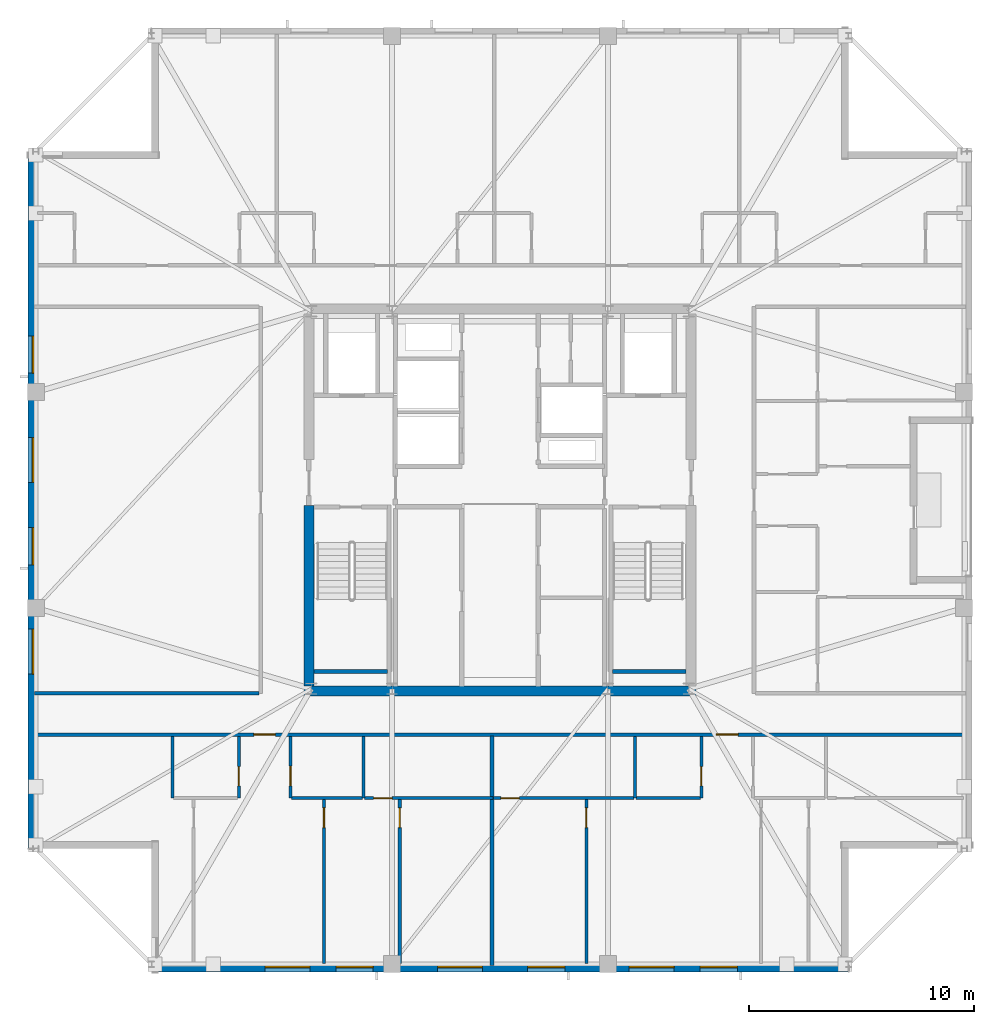
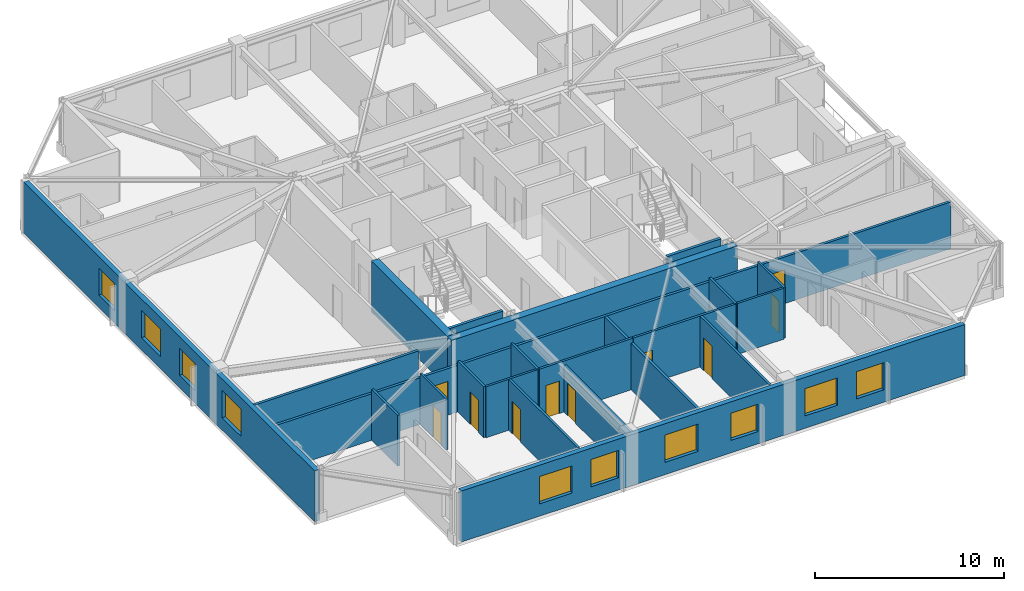
# One storey, part 7 of 15: 22 walls, 10 doors, 10 windows, 20 openings.
"""IFC4 building model written with IfcOpenShell, lengths in metres."""

from ifc_helpers import new_model, si_unit, direction, frame, frame_2d, origin, place, context, subcontext, project, spatial, rectangle, extrude, material, layer, layer_set, type_object, element, fill, save


model = new_model("IFC4")

# Units and contexts
model_context = context("Model", 3, precision=1e-05, world=origin(), true_north=direction((0.0, 1.0)))
body_context = subcontext(model_context, "Body", "Model", "MODEL_VIEW")
ifc_project = project(units=[si_unit("LENGTHUNIT", "METRE"), si_unit("AREAUNIT", "SQUARE_METRE"), si_unit("VOLUMEUNIT", "CUBIC_METRE"), si_unit("PLANEANGLEUNIT", "RADIAN"), si_unit("MASSUNIT", "GRAM", prefix="KILO")], contexts=[model_context])

# Site, building, storey
site_placement = place(None, origin())
site = spatial("IfcSite", under=ifc_project, at=site_placement, CompositionType="ELEMENT")
building_placement = place(site_placement, origin())
building = spatial("IfcBuilding", under=site, at=building_placement, Name="Cairnveth Concourse Tower", CompositionType="ELEMENT")
storey_placement = place(building_placement, frame((0.0, 0.0, 305.0)))
storey = spatial("IfcBuildingStorey", under=building, at=storey_placement, Name="L84", CompositionType="ELEMENT", Elevation=305.0)

# Wall, openings, doors
ifc_material_1 = material(Name="Gypsum Plasterboard Partition", Category="gypsum")
ifc_layer_1 = layer(ifc_material_1, 0.159912109375)
ifc_layer_set_1 = layer_set([ifc_layer_1], Name="Gypsum Plasterboard Partition")
wall_type_1 = type_object("IfcWallType", Name="ACOUSTIC PARTY WALL 180", PredefinedType="PARTITIONING", material=ifc_layer_set_1)
wall_1_placement = place(storey_placement, frame((31.284912109375, 28.56494140625, 0.0), z_axis=(0.0, 0.0, 1.0), x_axis=(1.0, 0.0, 0.0)))
wall_1 = element("IfcWall", 1, at=wall_1_placement, inside=storey, type_object=wall_type_1, Name="Interior Wall IW-L84-035", PredefinedType="PARTITIONING", context=body_context, shape_type="SweptSolid", body=[
    extrude(rectangle(XDim=41.43017578125, YDim=0.159912109375, at=frame_2d((20.715087890625, 0.0))), origin(), (0.0, 0.0, 1.0), 3.009033203125),
])
opening_1_placement = place(wall_1_placement, frame((9.76611328125, 0.0, 0.0)))
opening_1 = element("IfcOpeningElement", 2, at=opening_1_placement, cuts=wall_1, Name="Opening ID10", PredefinedType="OPENING", context=body_context, shape_type="SweptSolid", body=[
    extrude(rectangle(XDim=0.9599609375, YDim=2.179931640625, at=frame_2d((0.47998046875, 1.08984375))), frame((0.0, 0.08984375, 0.0), z_axis=(0.0, -1.0, 0.0), x_axis=(1.0, 0.0, 0.0)), (0.0, 0.0, 1.0), 0.179931640625),
])
opening_2_placement = place(wall_1_placement, frame((30.34619140625, 0.0, 0.0)))
opening_2 = element("IfcOpeningElement", 3, at=opening_2_placement, cuts=wall_1, Name="Opening ID10", PredefinedType="OPENING", context=body_context, shape_type="SweptSolid", body=[
    extrude(rectangle(XDim=0.9599609375, YDim=2.179931640625, at=frame_2d((0.47998046875, 1.08984375))), frame((0.0, 0.08984375, 0.0), z_axis=(0.0, -1.0, 0.0), x_axis=(1.0, 0.0, 0.0)), (0.0, 0.0, 1.0), 0.179931640625),
])
ifc_material_2 = material(Name="Solid Core Hardwood Timber Leaf", Category="wood")
door_type_1 = type_object("IfcDoorType", Name="FLAT ENTRANCE DOOR 960X2150", OperationType="NOTDEFINED", PredefinedType="DOOR", material=ifc_material_2)
door_1_placement = place(opening_1_placement, origin())
door_1 = element("IfcDoor", 4, at=door_1_placement, inside=storey, type_object=door_type_1, Name="Penthouse L84PS1 Entrance Door", OperationType="SINGLE_SWING_LEFT", OverallHeight=2.179931640625, OverallWidth=0.9599609375, PredefinedType="DOOR", context=body_context, shape_type="SweptSolid", body=[
    extrude(rectangle(XDim=0.9599609375, YDim=2.179931640625, at=frame_2d((0.47998046875, 1.08984375))), frame((0.0, 0.02490234375, 0.0), z_axis=(0.0, -1.0, 0.0), x_axis=(1.0, 0.0, 0.0)), (0.0, 0.0, 1.0), 0.050048828125),
])
fill(opening_1, door_1)
door_2_placement = place(opening_2_placement, origin())
door_2 = element("IfcDoor", 5, at=door_2_placement, inside=storey, type_object=door_type_1, Name="Penthouse L84PS2 Entrance Door", OperationType="SINGLE_SWING_LEFT", OverallHeight=2.179931640625, OverallWidth=0.9599609375, PredefinedType="DOOR", context=body_context, shape_type="SweptSolid", body=[
    extrude(rectangle(XDim=0.9599609375, YDim=2.179931640625, at=frame_2d((0.47998046875, 1.08984375))), frame((0.0, 0.02490234375, 0.0), z_axis=(0.0, -1.0, 0.0), x_axis=(1.0, 0.0, 0.0)), (0.0, 0.0, 1.0), 0.050048828125),
])
fill(opening_2, door_2)

# Walls
wall_2_placement = place(storey_placement, frame((31.284912109375, 30.39990234375, 0.0), z_axis=(0.0, 0.0, 1.0), x_axis=(1.0, 0.0, 0.0)))
element("IfcWall", 6, at=wall_2_placement, inside=storey, type_object=wall_type_1, Name="Interior Wall IW-L84-039", PredefinedType="PARTITIONING", context=body_context, shape_type="SweptSolid", body=[
    extrude(rectangle(XDim=10.0, YDim=0.159912109375, at=frame_2d((5.0, 0.0))), origin(), (0.0, 0.0, 1.0), 3.2900390625),
])
wall_3_placement = place(storey_placement, frame((51.642578125, 18.284912109375, 0.0), z_axis=(0.0, 0.0, 1.0), x_axis=(0.0, 1.0, 0.0)))
element("IfcWall", 7, at=wall_3_placement, inside=storey, type_object=wall_type_1, Name="Interior Wall IW-L84-053", PredefinedType="PARTITIONING", context=body_context, shape_type="SweptSolid", body=[
    extrude(rectangle(XDim=10.215087890625, YDim=0.159912109375, at=frame_2d((5.107421875, 0.0))), origin(), (0.0, 0.0, 1.0), 3.009033203125),
])
ifc_material_3 = material(Name="Concrete N65 (65 MPa)", Category="concrete")
ifc_layer_2 = layer(ifc_material_3, 0.449951171875)
ifc_layer_set_2 = layer_set([ifc_layer_2], Name="Concrete N65 (65 MPa)")
wall_type_2 = type_object("IfcWallType", Name="CORE SHEAR WALL 450", PredefinedType="SHEAR", material=ifc_layer_set_2)
wall_4_placement = place(storey_placement, frame((43.27490234375, 30.5, 0.0), z_axis=(0.0, 0.0, 1.0), x_axis=(1.0, 0.0, 0.0)))
element("IfcWall", 8, at=wall_4_placement, inside=storey, type_object=wall_type_2, Name="Core South Shear Wall L84", PredefinedType="SHEAR", context=body_context, shape_type="SweptSolid", body=[
    extrude(rectangle(XDim=17.4501953125, YDim=0.449951171875, at=frame_2d((8.72509765625, 0.0))), origin(), (0.0, 0.0, 1.0), 3.2900390625),
])
wall_5_placement = place(storey_placement, frame((43.5, 30.715087890625, 0.0), z_axis=(0.0, 0.0, 1.0), x_axis=(0.0, 1.0, 0.0)))
element("IfcWall", 9, at=wall_5_placement, inside=storey, type_object=wall_type_2, Name="Core West Shear Wall S L84", PredefinedType="SHEAR", context=body_context, shape_type="SweptSolid", body=[
    extrude(rectangle(XDim=8.034912109375, YDim=0.449951171875, at=frame_2d((4.017578125, 0.0))), origin(), (0.0, 0.0, 1.0), 3.2900390625),
])
ifc_material_4 = material(Name="Concrete N50 (50 MPa)", Category="concrete")
ifc_layer_3 = layer(ifc_material_4, 0.179931640625)
ifc_layer_set_3 = layer_set([ifc_layer_3], Name="Concrete N50 (50 MPa)")
wall_type_3 = type_object("IfcWallType", Name="FIRE SHAFT WALL 180", PredefinedType="SOLIDWALL", material=ifc_layer_set_3)
for number, where, z_axis, x_axis, name in (
    (10, (43.715087890625, 31.360107421875, 0.0), (0.0, 0.0, 1.0), (1.0, 0.0, 0.0), "Stair ST-1 Shaft Wall FAR L84"),
    (11, (57.0048828125, 31.360107421875, 0.0), (0.0, 0.0, 1.0), (1.0, 0.0, 0.0), "Stair ST-2 Shaft Wall FAR L84"),
):
    element("IfcWall", number, at=place(storey_placement, frame(where, z_axis=z_axis, x_axis=x_axis)), inside=storey, type_object=wall_type_3, Name=name, PredefinedType="SOLIDWALL", context=body_context, shape_type="SweptSolid", body=[
        extrude(rectangle(XDim=3.280029296875, YDim=0.179931640625, at=frame_2d((1.64013671875, 0.0))), origin(), (0.0, 0.0, 1.0), 3.2900390625),
    ])

# Wall, opening, door
ifc_layer_4 = layer(ifc_material_1, 0.139892578125)
ifc_layer_set_4 = layer_set([ifc_layer_4], Name="Gypsum Plasterboard Partition")
wall_type_4 = type_object("IfcWallType", Name="GYPSUM STUD PARTITION 140", PredefinedType="PARTITIONING", material=ifc_layer_set_4)
wall_6_placement = place(storey_placement, frame((47.54248046875, 18.3798828125, 0.0), z_axis=(0.0, 0.0, 1.0), x_axis=(0.0, 1.0, 0.0)))
wall_6 = element("IfcWall", 12, at=wall_6_placement, inside=storey, type_object=wall_type_4, Name="Interior Wall IW-L84-050", PredefinedType="PARTITIONING", context=body_context, shape_type="SweptSolid", body=[
    extrude(rectangle(XDim=7.39501953125, YDim=0.139892578125, at=frame_2d((3.697509765625, 0.0))), origin(), (0.0, 0.0, 1.0), 3.009033203125),
])
opening_3_placement = place(wall_6_placement, frame((6.044921875, 0.0, 0.0)))
opening_3 = element("IfcOpeningElement", 13, at=opening_3_placement, cuts=wall_6, Name="Opening ID18", PredefinedType="OPENING", context=body_context, shape_type="SweptSolid", body=[
    extrude(rectangle(XDim=0.8798828125, YDim=2.10009765625, at=frame_2d((0.43994140625, 1.050048828125))), frame((0.0, 0.079833984375, 0.0), z_axis=(0.0, -1.0, 0.0), x_axis=(1.0, 0.0, 0.0)), (0.0, 0.0, 1.0), 0.159912109375),
])
door_type_2 = type_object("IfcDoorType", Name="INTERIOR SINGLE DOOR 880X2100", OperationType="NOTDEFINED", PredefinedType="DOOR", material=ifc_material_2)
door_3_placement = place(opening_3_placement, origin())
door_3 = element("IfcDoor", 14, at=door_3_placement, inside=storey, type_object=door_type_2, Name="L84PS1 Bedroom 2 Door", OperationType="SINGLE_SWING_LEFT", OverallHeight=2.10009765625, OverallWidth=0.8798828125, PredefinedType="DOOR", context=body_context, shape_type="SweptSolid", body=[
    extrude(rectangle(XDim=0.8798828125, YDim=2.10009765625, at=frame_2d((0.43994140625, 1.050048828125))), frame((0.0, 0.02490234375, 0.0), z_axis=(0.0, -1.0, 0.0), x_axis=(1.0, 0.0, 0.0)), (0.0, 0.0, 1.0), 0.050048828125),
])
fill(opening_3, door_3)

wall_7_placement = place(storey_placement, frame((45.981201171875, 25.735107421875, 0.0), z_axis=(0.0, 0.0, 1.0), x_axis=(1.0, 0.0, 0.0)))
wall_7 = element("IfcWall", 15, at=wall_7_placement, inside=storey, type_object=wall_type_4, Name="Interior Wall IW-L84-051", PredefinedType="PARTITIONING", context=body_context, shape_type="SweptSolid", body=[
    extrude(rectangle(XDim=5.711181640625, YDim=0.139892578125, at=frame_2d((2.85546875, 0.0))), origin(), (0.0, 0.0, 1.0), 3.2900390625),
])
opening_4_placement = place(wall_7_placement, frame((0.39990234375, 0.0, 0.0)))
opening_4 = element("IfcOpeningElement", 16, at=opening_4_placement, cuts=wall_7, Name="Opening ID22", PredefinedType="OPENING", context=body_context, shape_type="SweptSolid", body=[
    extrude(rectangle(XDim=0.820068359375, YDim=2.10009765625, at=frame_2d((0.41015625, 1.050048828125))), frame((0.0, 0.079833984375, 0.0), z_axis=(0.0, -1.0, 0.0), x_axis=(1.0, 0.0, 0.0)), (0.0, 0.0, 1.0), 0.159912109375),
])
door_type_3 = type_object("IfcDoorType", Name="INTERIOR WC DOOR 820X2100", OperationType="NOTDEFINED", PredefinedType="DOOR", material=ifc_material_2)
door_4_placement = place(opening_4_placement, origin())
door_4 = element("IfcDoor", 17, at=door_4_placement, inside=storey, type_object=door_type_3, Name="L84PS1 Utility Door", OperationType="SINGLE_SWING_RIGHT", OverallHeight=2.10009765625, OverallWidth=0.820068359375, PredefinedType="DOOR", context=body_context, shape_type="SweptSolid", body=[
    extrude(rectangle(XDim=0.820068359375, YDim=2.10009765625, at=frame_2d((0.41015625, 1.050048828125))), frame((0.0, 0.02490234375, 0.0), z_axis=(0.0, -1.0, 0.0), x_axis=(1.0, 0.0, 0.0)), (0.0, 0.0, 1.0), 0.050048828125),
])
fill(opening_4, door_4)

wall_8_placement = place(storey_placement, frame((44.169921875, 18.3798828125, 0.0), z_axis=(0.0, 0.0, 1.0), x_axis=(0.0, 1.0, 0.0)))
wall_8 = element("IfcWall", 18, at=wall_8_placement, inside=storey, type_object=wall_type_4, Name="Interior Wall IW-L84-052", PredefinedType="PARTITIONING", context=body_context, shape_type="SweptSolid", body=[
    extrude(rectangle(XDim=7.30517578125, YDim=0.139892578125, at=frame_2d((3.652587890625, 0.0))), origin(), (0.0, 0.0, 1.0), 3.2900390625),
])
opening_5_placement = place(wall_8_placement, frame((6.044921875, 0.0, 0.0)))
opening_5 = element("IfcOpeningElement", 19, at=opening_5_placement, cuts=wall_8, Name="Opening ID18", PredefinedType="OPENING", context=body_context, shape_type="SweptSolid", body=[
    extrude(rectangle(XDim=0.8798828125, YDim=2.10009765625, at=frame_2d((0.43994140625, 1.050048828125))), frame((0.0, 0.079833984375, 0.0), z_axis=(0.0, -1.0, 0.0), x_axis=(1.0, 0.0, 0.0)), (0.0, 0.0, 1.0), 0.159912109375),
])
door_5_placement = place(opening_5_placement, origin())
door_5 = element("IfcDoor", 20, at=door_5_placement, inside=storey, type_object=door_type_2, Name="L84PS1 Media Lounge Door", OperationType="SINGLE_SWING_RIGHT", OverallHeight=2.10009765625, OverallWidth=0.8798828125, PredefinedType="DOOR", context=body_context, shape_type="SweptSolid", body=[
    extrude(rectangle(XDim=0.8798828125, YDim=2.10009765625, at=frame_2d((0.43994140625, 1.050048828125))), frame((0.0, 0.02490234375, 0.0), z_axis=(0.0, -1.0, 0.0), x_axis=(1.0, 0.0, 0.0)), (0.0, 0.0, 1.0), 0.050048828125),
])
fill(opening_5, door_5)

wall_9_placement = place(storey_placement, frame((55.842529296875, 18.3798828125, 0.0), z_axis=(0.0, 0.0, 1.0), x_axis=(0.0, 1.0, 0.0)))
wall_9 = element("IfcWall", 21, at=wall_9_placement, inside=storey, type_object=wall_type_4, Name="Interior Wall IW-L84-060", PredefinedType="PARTITIONING", context=body_context, shape_type="SweptSolid", body=[
    extrude(rectangle(XDim=7.39501953125, YDim=0.139892578125, at=frame_2d((3.697509765625, 0.0))), origin(), (0.0, 0.0, 1.0), 3.2900390625),
])
opening_6_placement = place(wall_9_placement, frame((6.044921875, 0.0, 0.0)))
opening_6 = element("IfcOpeningElement", 22, at=opening_6_placement, cuts=wall_9, Name="Opening ID18", PredefinedType="OPENING", context=body_context, shape_type="SweptSolid", body=[
    extrude(rectangle(XDim=0.8798828125, YDim=2.10009765625, at=frame_2d((0.43994140625, 1.050048828125))), frame((0.0, 0.079833984375, 0.0), z_axis=(0.0, -1.0, 0.0), x_axis=(1.0, 0.0, 0.0)), (0.0, 0.0, 1.0), 0.159912109375),
])
door_6_placement = place(opening_6_placement, origin())
door_6 = element("IfcDoor", 23, at=door_6_placement, inside=storey, type_object=door_type_2, Name="L84PS2 Master Bedroom Door", OperationType="SINGLE_SWING_LEFT", OverallHeight=2.10009765625, OverallWidth=0.8798828125, PredefinedType="DOOR", context=body_context, shape_type="SweptSolid", body=[
    extrude(rectangle(XDim=0.8798828125, YDim=2.10009765625, at=frame_2d((0.43994140625, 1.050048828125))), frame((0.0, 0.02490234375, 0.0), z_axis=(0.0, -1.0, 0.0), x_axis=(1.0, 0.0, 0.0)), (0.0, 0.0, 1.0), 0.050048828125),
])
fill(opening_6, door_6)

wall_10_placement = place(storey_placement, frame((51.70751953125, 25.735107421875, 0.0), z_axis=(0.0, 0.0, 1.0), x_axis=(1.0, 0.0, 0.0)))
wall_10 = element("IfcWall", 24, at=wall_10_placement, inside=storey, type_object=wall_type_4, Name="Interior Wall IW-L84-061", PredefinedType="PARTITIONING", context=body_context, shape_type="SweptSolid", body=[
    extrude(rectangle(XDim=6.253662109375, YDim=0.139892578125, at=frame_2d((3.126953125, 0.0))), origin(), (0.0, 0.0, 1.0), 3.2900390625),
])
opening_7_placement = place(wall_10_placement, frame((0.3349609375, 0.0, 0.0)))
opening_7 = element("IfcOpeningElement", 25, at=opening_7_placement, cuts=wall_10, Name="Opening ID22", PredefinedType="OPENING", context=body_context, shape_type="SweptSolid", body=[
    extrude(rectangle(XDim=0.820068359375, YDim=2.10009765625, at=frame_2d((0.41015625, 1.050048828125))), frame((0.0, 0.079833984375, 0.0), z_axis=(0.0, -1.0, 0.0), x_axis=(1.0, 0.0, 0.0)), (0.0, 0.0, 1.0), 0.159912109375),
])
door_7_placement = place(opening_7_placement, origin())
door_7 = element("IfcDoor", 26, at=door_7_placement, inside=storey, type_object=door_type_3, Name="L84PS2 Dressing Door", OperationType="SINGLE_SWING_RIGHT", OverallHeight=2.10009765625, OverallWidth=0.820068359375, PredefinedType="DOOR", context=body_context, shape_type="SweptSolid", body=[
    extrude(rectangle(XDim=0.820068359375, YDim=2.10009765625, at=frame_2d((0.41015625, 1.050048828125))), frame((0.0, 0.02490234375, 0.0), z_axis=(0.0, -1.0, 0.0), x_axis=(1.0, 0.0, 0.0)), (0.0, 0.0, 1.0), 0.050048828125),
])
fill(opening_7, door_7)

# Wall
ifc_layer_5 = layer(ifc_material_1, 0.1298828125)
ifc_layer_set_5 = layer_set([ifc_layer_5], Name="Gypsum Plasterboard Partition")
wall_type_5 = type_object("IfcWallType", Name="WET AREA PARTITION 140", PredefinedType="PLUMBINGWALL", material=ifc_layer_set_5)
wall_11_placement = place(storey_placement, frame((37.431396484375, 25.735107421875, 0.0), z_axis=(0.0, 0.0, 1.0), x_axis=(0.0, 1.0, 0.0)))
element("IfcWall", 27, at=wall_11_placement, inside=storey, type_object=wall_type_5, Name="Interior Wall IW-L84-043", PredefinedType="PLUMBINGWALL", context=body_context, shape_type="SweptSolid", body=[
    extrude(rectangle(XDim=2.75, YDim=0.1298828125, at=frame_2d((1.375, 0.0))), origin(), (0.0, 0.0, 1.0), 3.2900390625),
])

# Wall, opening, door
wall_12_placement = place(storey_placement, frame((40.38134765625, 25.735107421875, 0.0), z_axis=(0.0, 0.0, 1.0), x_axis=(0.0, 1.0, 0.0)))
wall_12 = element("IfcWall", 28, at=wall_12_placement, inside=storey, type_object=wall_type_5, Name="Interior Wall IW-L84-044", PredefinedType="PLUMBINGWALL", context=body_context, shape_type="SweptSolid", body=[
    extrude(rectangle(XDim=2.75, YDim=0.1298828125, at=frame_2d((1.375, 0.0))), origin(), (0.0, 0.0, 1.0), 3.2900390625),
])
opening_8_placement = place(wall_12_placement, frame((0.550048828125, 0.0, 0.0)))
opening_8 = element("IfcOpeningElement", 29, at=opening_8_placement, cuts=wall_12, Name="Opening ID21", PredefinedType="OPENING", context=body_context, shape_type="SweptSolid", body=[
    extrude(rectangle(XDim=0.85009765625, YDim=2.080078125, at=frame_2d((0.425048828125, 1.0400390625))), frame((0.0, 0.074951171875, 0.0), z_axis=(0.0, -1.0, 0.0), x_axis=(1.0, 0.0, 0.0)), (0.0, 0.0, 1.0), 0.14990234375),
])
door_type_4 = type_object("IfcDoorType", Name="INTERIOR WC DOOR 850X2100", OperationType="NOTDEFINED", PredefinedType="DOOR", material=ifc_material_2)
door_8_placement = place(opening_8_placement, origin())
door_8 = element("IfcDoor", 30, at=door_8_placement, inside=storey, type_object=door_type_4, Name="L84PS1 Bathroom Door", OperationType="SINGLE_SWING_LEFT", OverallHeight=2.080078125, OverallWidth=0.85009765625, PredefinedType="DOOR", context=body_context, shape_type="SweptSolid", body=[
    extrude(rectangle(XDim=0.85009765625, YDim=2.080078125, at=frame_2d((0.425048828125, 1.0400390625))), frame((0.0, 0.02490234375, 0.0), z_axis=(0.0, -1.0, 0.0), x_axis=(1.0, 0.0, 0.0)), (0.0, 0.0, 1.0), 0.050048828125),
])
fill(opening_8, door_8)

# Wall
wall_13_placement = place(storey_placement, frame((45.93115234375, 25.735107421875, 0.0), z_axis=(0.0, 0.0, 1.0), x_axis=(0.0, 1.0, 0.0)))
element("IfcWall", 31, at=wall_13_placement, inside=storey, type_object=wall_type_5, Name="Interior Wall IW-L84-046", PredefinedType="PLUMBINGWALL", context=body_context, shape_type="SweptSolid", body=[
    extrude(rectangle(XDim=2.75, YDim=0.1298828125, at=frame_2d((1.375, 0.0))), origin(), (0.0, 0.0, 1.0), 3.2900390625),
])

# Wall, opening, door
wall_14_placement = place(storey_placement, frame((42.68115234375, 25.735107421875, 0.0), z_axis=(0.0, 0.0, 1.0), x_axis=(0.0, 1.0, 0.0)))
wall_14 = element("IfcWall", 32, at=wall_14_placement, inside=storey, type_object=wall_type_5, Name="Interior Wall IW-L84-047", PredefinedType="PLUMBINGWALL", context=body_context, shape_type="SweptSolid", body=[
    extrude(rectangle(XDim=2.75, YDim=0.1298828125, at=frame_2d((1.375, 0.0))), origin(), (0.0, 0.0, 1.0), 3.2900390625),
])
opening_9_placement = place(wall_14_placement, frame((0.550048828125, 0.0, 0.0)))
opening_9 = element("IfcOpeningElement", 33, at=opening_9_placement, cuts=wall_14, Name="Opening ID18", PredefinedType="OPENING", context=body_context, shape_type="SweptSolid", body=[
    extrude(rectangle(XDim=0.8798828125, YDim=2.10009765625, at=frame_2d((0.43994140625, 1.050048828125))), frame((0.0, 0.074951171875, 0.0), z_axis=(0.0, -1.0, 0.0), x_axis=(1.0, 0.0, 0.0)), (0.0, 0.0, 1.0), 0.14990234375),
])
door_9_placement = place(opening_9_placement, origin())
door_9 = element("IfcDoor", 34, at=door_9_placement, inside=storey, type_object=door_type_2, Name="L84PS1 Kitchen Door", OperationType="SINGLE_SWING_RIGHT", OverallHeight=2.10009765625, OverallWidth=0.8798828125, PredefinedType="DOOR", context=body_context, shape_type="SweptSolid", body=[
    extrude(rectangle(XDim=0.8798828125, YDim=2.10009765625, at=frame_2d((0.43994140625, 1.050048828125))), frame((0.0, 0.02490234375, 0.0), z_axis=(0.0, -1.0, 0.0), x_axis=(1.0, 0.0, 0.0)), (0.0, 0.0, 1.0), 0.050048828125),
])
fill(opening_9, door_9)

# Walls
wall_15_placement = place(storey_placement, frame((42.731201171875, 25.735107421875, 0.0), z_axis=(0.0, 0.0, 1.0), x_axis=(1.0, 0.0, 0.0)))
element("IfcWall", 35, at=wall_15_placement, inside=storey, type_object=wall_type_5, Name="Interior Wall IW-L84-048", PredefinedType="PLUMBINGWALL", context=body_context, shape_type="SweptSolid", body=[
    extrude(rectangle(XDim=3.14990234375, YDim=0.1298828125, at=frame_2d((1.574951171875, 0.0))), origin(), (0.0, 0.0, 1.0), 3.2900390625),
])
wall_16_placement = place(storey_placement, frame((58.01123046875, 25.735107421875, 0.0), z_axis=(0.0, 0.0, 1.0), x_axis=(0.0, 1.0, 0.0)))
element("IfcWall", 36, at=wall_16_placement, inside=storey, type_object=wall_type_5, Name="Interior Wall IW-L84-054", PredefinedType="PLUMBINGWALL", context=body_context, shape_type="SweptSolid", body=[
    extrude(rectangle(XDim=2.75, YDim=0.1298828125, at=frame_2d((1.375, 0.0))), origin(), (0.0, 0.0, 1.0), 3.2900390625),
])

# Wall, opening, door
wall_17_placement = place(storey_placement, frame((60.961181640625, 25.735107421875, 0.0), z_axis=(0.0, 0.0, 1.0), x_axis=(0.0, 1.0, 0.0)))
wall_17 = element("IfcWall", 37, at=wall_17_placement, inside=storey, type_object=wall_type_5, Name="Interior Wall IW-L84-055", PredefinedType="PLUMBINGWALL", context=body_context, shape_type="SweptSolid", body=[
    extrude(rectangle(XDim=2.75, YDim=0.1298828125, at=frame_2d((1.375, 0.0))), origin(), (0.0, 0.0, 1.0), 3.2900390625),
])
opening_10_placement = place(wall_17_placement, frame((0.550048828125, 0.0, 0.0)))
opening_10 = element("IfcOpeningElement", 38, at=opening_10_placement, cuts=wall_17, Name="Opening ID21", PredefinedType="OPENING", context=body_context, shape_type="SweptSolid", body=[
    extrude(rectangle(XDim=0.85009765625, YDim=2.080078125, at=frame_2d((0.425048828125, 1.0400390625))), frame((0.0, 0.074951171875, 0.0), z_axis=(0.0, -1.0, 0.0), x_axis=(1.0, 0.0, 0.0)), (0.0, 0.0, 1.0), 0.14990234375),
])
door_10_placement = place(opening_10_placement, origin())
door_10 = element("IfcDoor", 39, at=door_10_placement, inside=storey, type_object=door_type_4, Name="L84PS2 Bathroom Door", OperationType="SINGLE_SWING_RIGHT", OverallHeight=2.080078125, OverallWidth=0.85009765625, PredefinedType="DOOR", context=body_context, shape_type="SweptSolid", body=[
    extrude(rectangle(XDim=0.85009765625, YDim=2.080078125, at=frame_2d((0.425048828125, 1.0400390625))), frame((0.0, 0.02490234375, 0.0), z_axis=(0.0, -1.0, 0.0), x_axis=(1.0, 0.0, 0.0)), (0.0, 0.0, 1.0), 0.050048828125),
])
fill(opening_10, door_10)

# Wall
wall_18_placement = place(storey_placement, frame((58.061279296875, 25.735107421875, 0.0), z_axis=(0.0, 0.0, 1.0), x_axis=(1.0, 0.0, 0.0)))
element("IfcWall", 40, at=wall_18_placement, inside=storey, type_object=wall_type_5, Name="Interior Wall IW-L84-056", PredefinedType="PLUMBINGWALL", context=body_context, shape_type="SweptSolid", body=[
    extrude(rectangle(XDim=2.849853515625, YDim=0.1298828125, at=frame_2d((1.4248046875, 0.0))), origin(), (0.0, 0.0, 1.0), 3.2900390625),
])

# Wall, openings, windows
ifc_material_5 = material(Name="Hawthorn Red-Ochre Fired Clay Brick Masonry", Category="masonry")
ifc_layer_6 = layer(ifc_material_5, 0.300048828125)
ifc_layer_set_6 = layer_set([ifc_layer_6], Name="Hawthorn Red-Ochre Fired Clay Brick Masonry")
wall_type_6 = type_object("IfcWallType", Name="ZONE 4 BRICK PIER SPANDREL WALL 300", PredefinedType="SOLIDWALL", material=ifc_layer_set_6)
wall_19_placement = place(storey_placement, frame((67.5, 18.14990234375, 0.0), z_axis=(0.0, 0.0, 1.0), x_axis=(-1.0, 0.0, 0.0)))
wall_19 = element("IfcWall", 41, at=wall_19_placement, inside=storey, type_object=wall_type_6, Name="Exterior Wall EW-L84-S03", PredefinedType="SOLIDWALL", context=body_context, shape_type="SweptSolid", body=[
    extrude(rectangle(XDim=30.721923828125, YDim=0.300048828125, at=frame_2d((15.36083984375, 0.0))), origin(), (0.0, 0.0, 1.0), 3.2900390625),
])
opening_11_placement = place(wall_19_placement, frame((4.943603515625, 0.0, 0.800048828125)))
opening_11 = element("IfcOpeningElement", 42, at=opening_11_placement, cuts=wall_19, Name="Opening W04", PredefinedType="OPENING", context=body_context, shape_type="SweptSolid", body=[
    extrude(rectangle(XDim=1.64990234375, YDim=1.758056640625, at=frame_2d((0.824951171875, 0.87890625))), frame((0.0, 0.159912109375, 0.0), z_axis=(0.0, -1.0, 0.0), x_axis=(1.0, 0.0, 0.0)), (0.0, 0.0, 1.0), 0.320068359375),
])
opening_12_placement = place(wall_19_placement, frame((7.755615234375, 0.0, 0.800048828125)))
opening_12 = element("IfcOpeningElement", 43, at=opening_12_placement, cuts=wall_19, Name="Opening W09", PredefinedType="OPENING", context=body_context, shape_type="SweptSolid", body=[
    extrude(rectangle(XDim=2.0, YDim=1.758056640625, at=frame_2d((1.0, 0.87890625))), frame((0.0, 0.159912109375, 0.0), z_axis=(0.0, -1.0, 0.0), x_axis=(1.0, 0.0, 0.0)), (0.0, 0.0, 1.0), 0.320068359375),
])
opening_13_placement = place(wall_19_placement, frame((12.617431640625, 0.0, 0.800048828125)))
opening_13 = element("IfcOpeningElement", 44, at=opening_13_placement, cuts=wall_19, Name="Opening W04", PredefinedType="OPENING", context=body_context, shape_type="SweptSolid", body=[
    extrude(rectangle(XDim=1.64990234375, YDim=1.758056640625, at=frame_2d((0.824951171875, 0.87890625))), frame((0.0, 0.159912109375, 0.0), z_axis=(0.0, -1.0, 0.0), x_axis=(1.0, 0.0, 0.0)), (0.0, 0.0, 1.0), 0.320068359375),
])
opening_14_placement = place(wall_19_placement, frame((16.279541015625, 0.0, 0.800048828125)))
opening_14 = element("IfcOpeningElement", 45, at=opening_14_placement, cuts=wall_19, Name="Opening W09", PredefinedType="OPENING", context=body_context, shape_type="SweptSolid", body=[
    extrude(rectangle(XDim=2.0, YDim=1.758056640625, at=frame_2d((1.0, 0.87890625))), frame((0.0, 0.159912109375, 0.0), z_axis=(0.0, -1.0, 0.0), x_axis=(1.0, 0.0, 0.0)), (0.0, 0.0, 1.0), 0.320068359375),
])
opening_15_placement = place(wall_19_placement, frame((21.1416015625, 0.0, 0.800048828125)))
opening_15 = element("IfcOpeningElement", 46, at=opening_15_placement, cuts=wall_19, Name="Opening W04", PredefinedType="OPENING", context=body_context, shape_type="SweptSolid", body=[
    extrude(rectangle(XDim=1.64990234375, YDim=1.758056640625, at=frame_2d((0.824951171875, 0.87890625))), frame((0.0, 0.159912109375, 0.0), z_axis=(0.0, -1.0, 0.0), x_axis=(1.0, 0.0, 0.0)), (0.0, 0.0, 1.0), 0.320068359375),
])
opening_16_placement = place(wall_19_placement, frame((23.95361328125, 0.0, 0.800048828125)))
opening_16 = element("IfcOpeningElement", 47, at=opening_16_placement, cuts=wall_19, Name="Opening W09", PredefinedType="OPENING", context=body_context, shape_type="SweptSolid", body=[
    extrude(rectangle(XDim=2.0, YDim=1.758056640625, at=frame_2d((1.0, 0.87890625))), frame((0.0, 0.159912109375, 0.0), z_axis=(0.0, -1.0, 0.0), x_axis=(1.0, 0.0, 0.0)), (0.0, 0.0, 1.0), 0.320068359375),
])
ifc_material_6 = material(Name="Double Glazed Low-E Clear Glass", Category="glass")
window_type_1 = type_object("IfcWindowType", Name="DEEP-SET GOTHIC LANCET WINDOW 1650X1850", PartitioningType="DOUBLE_PANEL_VERTICAL", PredefinedType="WINDOW", material=ifc_material_6)
window_1_placement = place(opening_11_placement, origin())
window_1 = element("IfcWindow", 48, at=window_1_placement, inside=storey, type_object=window_type_1, Name="Gothic Lancet Window L84-3-1", OverallHeight=1.758056640625, OverallWidth=1.64990234375, PartitioningType="SINGLE_PANEL", PredefinedType="WINDOW", context=body_context, shape_type="SweptSolid", body=[
    extrude(rectangle(XDim=1.64990234375, YDim=1.758056640625, at=frame_2d((0.824951171875, 0.87890625))), frame((0.0, -0.050048828125, 0.0), z_axis=(0.0, -1.0, 0.0), x_axis=(1.0, 0.0, 0.0)), (0.0, 0.0, 1.0), 0.06005859375),
])
fill(opening_11, window_1)
window_2_placement = place(opening_13_placement, origin())
window_2 = element("IfcWindow", 49, at=window_2_placement, inside=storey, type_object=window_type_1, Name="Gothic Lancet Window L84-3-3", OverallHeight=1.758056640625, OverallWidth=1.64990234375, PartitioningType="SINGLE_PANEL", PredefinedType="WINDOW", context=body_context, shape_type="SweptSolid", body=[
    extrude(rectangle(XDim=1.64990234375, YDim=1.758056640625, at=frame_2d((0.824951171875, 0.87890625))), frame((0.0, -0.050048828125, 0.0), z_axis=(0.0, -1.0, 0.0), x_axis=(1.0, 0.0, 0.0)), (0.0, 0.0, 1.0), 0.06005859375),
])
fill(opening_13, window_2)
window_3_placement = place(opening_15_placement, origin())
window_3 = element("IfcWindow", 50, at=window_3_placement, inside=storey, type_object=window_type_1, Name="Gothic Lancet Window L84-3-5", OverallHeight=1.758056640625, OverallWidth=1.64990234375, PartitioningType="SINGLE_PANEL", PredefinedType="WINDOW", context=body_context, shape_type="SweptSolid", body=[
    extrude(rectangle(XDim=1.64990234375, YDim=1.758056640625, at=frame_2d((0.824951171875, 0.87890625))), frame((0.0, -0.050048828125, 0.0), z_axis=(0.0, -1.0, 0.0), x_axis=(1.0, 0.0, 0.0)), (0.0, 0.0, 1.0), 0.06005859375),
])
fill(opening_15, window_3)
window_type_2 = type_object("IfcWindowType", Name="DEEP-SET PENTHOUSE LANCET WINDOW 2000X1850", PartitioningType="DOUBLE_PANEL_VERTICAL", PredefinedType="WINDOW", material=ifc_material_6)
window_4_placement = place(opening_12_placement, origin())
window_4 = element("IfcWindow", 51, at=window_4_placement, inside=storey, type_object=window_type_2, Name="Gothic Lancet Window L84-3-2", OverallHeight=1.758056640625, OverallWidth=2.0, PartitioningType="SINGLE_PANEL", PredefinedType="WINDOW", context=body_context, shape_type="SweptSolid", body=[
    extrude(rectangle(XDim=2.0, YDim=1.758056640625, at=frame_2d((1.0, 0.87890625))), frame((0.0, -0.050048828125, 0.0), z_axis=(0.0, -1.0, 0.0), x_axis=(1.0, 0.0, 0.0)), (0.0, 0.0, 1.0), 0.06005859375),
])
fill(opening_12, window_4)
window_5_placement = place(opening_14_placement, origin())
window_5 = element("IfcWindow", 52, at=window_5_placement, inside=storey, type_object=window_type_2, Name="Gothic Lancet Window L84-3-4", OverallHeight=1.758056640625, OverallWidth=2.0, PartitioningType="SINGLE_PANEL", PredefinedType="WINDOW", context=body_context, shape_type="SweptSolid", body=[
    extrude(rectangle(XDim=2.0, YDim=1.758056640625, at=frame_2d((1.0, 0.87890625))), frame((0.0, -0.050048828125, 0.0), z_axis=(0.0, -1.0, 0.0), x_axis=(1.0, 0.0, 0.0)), (0.0, 0.0, 1.0), 0.06005859375),
])
fill(opening_14, window_5)
window_6_placement = place(opening_16_placement, origin())
window_6 = element("IfcWindow", 53, at=window_6_placement, inside=storey, type_object=window_type_2, Name="Gothic Lancet Window L84-3-6", OverallHeight=1.758056640625, OverallWidth=2.0, PartitioningType="SINGLE_PANEL", PredefinedType="WINDOW", context=body_context, shape_type="SweptSolid", body=[
    extrude(rectangle(XDim=2.0, YDim=1.758056640625, at=frame_2d((1.0, 0.87890625))), frame((0.0, -0.050048828125, 0.0), z_axis=(0.0, -1.0, 0.0), x_axis=(1.0, 0.0, 0.0)), (0.0, 0.0, 1.0), 0.06005859375),
])
fill(opening_16, window_6)

wall_20_placement = place(storey_placement, frame((31.14990234375, 23.5, 0.0), z_axis=(0.0, 0.0, 1.0), x_axis=(0.0, 1.0, 0.0)))
wall_20 = element("IfcWall", 54, at=wall_20_placement, inside=storey, type_object=wall_type_6, Name="Exterior Wall EW-L84-S06", PredefinedType="SOLIDWALL", context=body_context, shape_type="SweptSolid", body=[
    extrude(rectangle(XDim=30.721923828125, YDim=0.300048828125, at=frame_2d((15.36083984375, 0.0))), origin(), (0.0, 0.0, 1.0), 3.2900390625),
])
opening_17_placement = place(wall_20_placement, frame((7.755615234375, 0.0, 0.800048828125)))
opening_17 = element("IfcOpeningElement", 55, at=opening_17_placement, cuts=wall_20, Name="Opening W09", PredefinedType="OPENING", context=body_context, shape_type="SweptSolid", body=[
    extrude(rectangle(XDim=2.0, YDim=1.758056640625, at=frame_2d((1.0, 0.87890625))), frame((0.0, 0.159912109375, 0.0), z_axis=(0.0, -1.0, 0.0), x_axis=(1.0, 0.0, 0.0)), (0.0, 0.0, 1.0), 0.320068359375),
])
opening_18_placement = place(wall_20_placement, frame((12.617431640625, 0.0, 0.800048828125)))
opening_18 = element("IfcOpeningElement", 56, at=opening_18_placement, cuts=wall_20, Name="Opening W04", PredefinedType="OPENING", context=body_context, shape_type="SweptSolid", body=[
    extrude(rectangle(XDim=1.64990234375, YDim=1.758056640625, at=frame_2d((0.824951171875, 0.87890625))), frame((0.0, 0.159912109375, 0.0), z_axis=(0.0, -1.0, 0.0), x_axis=(1.0, 0.0, 0.0)), (0.0, 0.0, 1.0), 0.320068359375),
])
opening_19_placement = place(wall_20_placement, frame((16.279541015625, 0.0, 0.800048828125)))
opening_19 = element("IfcOpeningElement", 57, at=opening_19_placement, cuts=wall_20, Name="Opening W09", PredefinedType="OPENING", context=body_context, shape_type="SweptSolid", body=[
    extrude(rectangle(XDim=2.0, YDim=1.758056640625, at=frame_2d((1.0, 0.87890625))), frame((0.0, 0.159912109375, 0.0), z_axis=(0.0, -1.0, 0.0), x_axis=(1.0, 0.0, 0.0)), (0.0, 0.0, 1.0), 0.320068359375),
])
opening_20_placement = place(wall_20_placement, frame((21.1416015625, 0.0, 0.800048828125)))
opening_20 = element("IfcOpeningElement", 58, at=opening_20_placement, cuts=wall_20, Name="Opening W04", PredefinedType="OPENING", context=body_context, shape_type="SweptSolid", body=[
    extrude(rectangle(XDim=1.64990234375, YDim=1.758056640625, at=frame_2d((0.824951171875, 0.87890625))), frame((0.0, 0.159912109375, 0.0), z_axis=(0.0, -1.0, 0.0), x_axis=(1.0, 0.0, 0.0)), (0.0, 0.0, 1.0), 0.320068359375),
])
window_7_placement = place(opening_18_placement, origin())
window_7 = element("IfcWindow", 59, at=window_7_placement, inside=storey, type_object=window_type_1, Name="Gothic Lancet Window L84-6-3", OverallHeight=1.758056640625, OverallWidth=1.64990234375, PartitioningType="SINGLE_PANEL", PredefinedType="WINDOW", context=body_context, shape_type="SweptSolid", body=[
    extrude(rectangle(XDim=1.64990234375, YDim=1.758056640625, at=frame_2d((0.824951171875, 0.87890625))), frame((0.0, -0.050048828125, 0.0), z_axis=(0.0, -1.0, 0.0), x_axis=(1.0, 0.0, 0.0)), (0.0, 0.0, 1.0), 0.06005859375),
])
fill(opening_18, window_7)
window_8_placement = place(opening_20_placement, origin())
window_8 = element("IfcWindow", 60, at=window_8_placement, inside=storey, type_object=window_type_1, Name="Gothic Lancet Window L84-6-5", OverallHeight=1.758056640625, OverallWidth=1.64990234375, PartitioningType="SINGLE_PANEL", PredefinedType="WINDOW", context=body_context, shape_type="SweptSolid", body=[
    extrude(rectangle(XDim=1.64990234375, YDim=1.758056640625, at=frame_2d((0.824951171875, 0.87890625))), frame((0.0, -0.050048828125, 0.0), z_axis=(0.0, -1.0, 0.0), x_axis=(1.0, 0.0, 0.0)), (0.0, 0.0, 1.0), 0.06005859375),
])
fill(opening_20, window_8)
window_9_placement = place(opening_17_placement, origin())
window_9 = element("IfcWindow", 61, at=window_9_placement, inside=storey, type_object=window_type_2, Name="Gothic Lancet Window L84-6-2", OverallHeight=1.758056640625, OverallWidth=2.0, PartitioningType="SINGLE_PANEL", PredefinedType="WINDOW", context=body_context, shape_type="SweptSolid", body=[
    extrude(rectangle(XDim=2.0, YDim=1.758056640625, at=frame_2d((1.0, 0.87890625))), frame((0.0, -0.050048828125, 0.0), z_axis=(0.0, -1.0, 0.0), x_axis=(1.0, 0.0, 0.0)), (0.0, 0.0, 1.0), 0.06005859375),
])
fill(opening_17, window_9)
window_10_placement = place(opening_19_placement, origin())
window_10 = element("IfcWindow", 62, at=window_10_placement, inside=storey, type_object=window_type_2, Name="Gothic Lancet Window L84-6-4", OverallHeight=1.758056640625, OverallWidth=2.0, PartitioningType="SINGLE_PANEL", PredefinedType="WINDOW", context=body_context, shape_type="SweptSolid", body=[
    extrude(rectangle(XDim=2.0, YDim=1.758056640625, at=frame_2d((1.0, 0.87890625))), frame((0.0, -0.050048828125, 0.0), z_axis=(0.0, -1.0, 0.0), x_axis=(1.0, 0.0, 0.0)), (0.0, 0.0, 1.0), 0.06005859375),
])
fill(opening_19, window_10)

save(model, "model.ifc")
